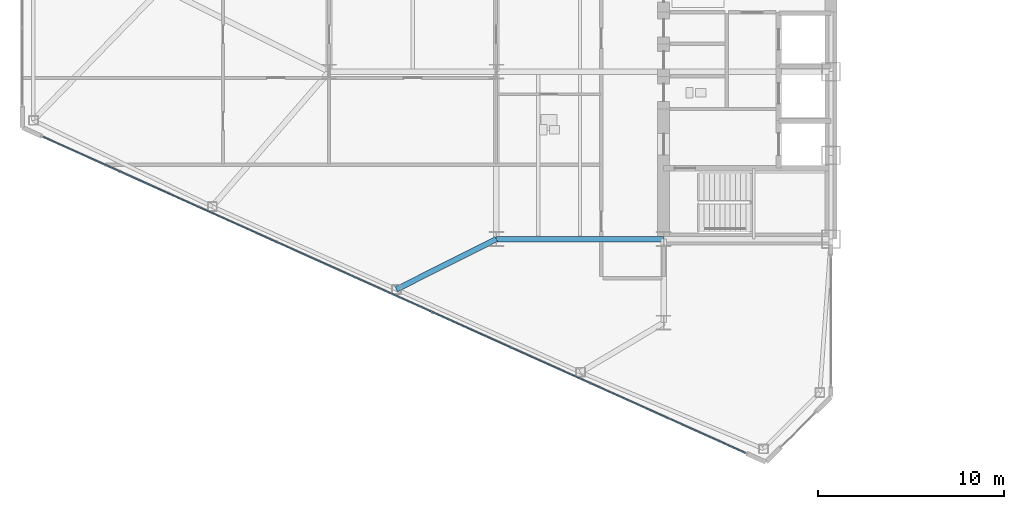
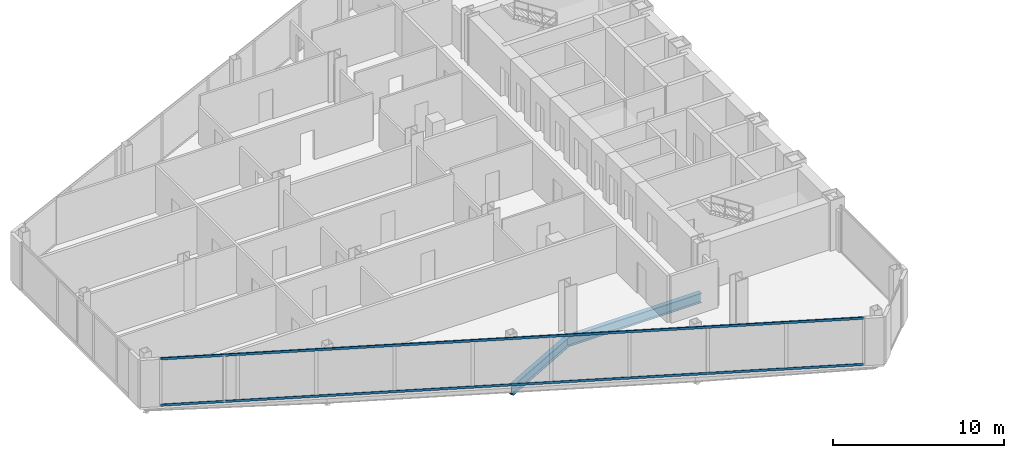
# One storey, part 4 of 27: 2 beams, 2 members, 1 element without a shape of its own.
"""IFC4 building model written with IfcOpenShell, lengths in metres."""

from ifc_helpers import new_model, si_unit, direction, frame, origin, origin_2d, place, context, subcontext, project, spatial, rectangle, i_section, extrude, source, transform, mapped, material, layer, layer_set, material_profile, profile_set, type_object, type_shapes, element, aggregate, save


model = new_model("IFC4")

# Units and contexts
model_context = context("Model", 3, precision=1e-05, world=origin(), true_north=direction((0.0, 1.0)))
body_context = subcontext(model_context, "Body", "Model", "MODEL_VIEW")
ifc_project = project(units=[si_unit("LENGTHUNIT", "METRE"), si_unit("AREAUNIT", "SQUARE_METRE"), si_unit("VOLUMEUNIT", "CUBIC_METRE"), si_unit("PLANEANGLEUNIT", "RADIAN"), si_unit("MASSUNIT", "GRAM", prefix="KILO")], contexts=[model_context])

# Site, building, storey
site_placement = place(None, origin())
site = spatial("IfcSite", under=ifc_project, at=site_placement, CompositionType="ELEMENT")
building_placement = place(site_placement, origin())
building = spatial("IfcBuilding", under=site, at=building_placement, Name="Seokmaru Belvedere", CompositionType="ELEMENT")
storey_placement = place(building_placement, frame((0.0, 0.0, 80.10009765625)))
storey = spatial("IfcBuildingStorey", under=building, at=storey_placement, Name="L21", CompositionType="ELEMENT", Elevation=80.10009765625)

# Beams
ifc_material_1 = material(Name="Steel SM355 (355 MPa)", Category="steel")
ifc_material_profile_1 = material_profile(ifc_material_1, i_section(OverallWidth=0.300048828125, OverallDepth=0.699951171875, WebThickness=0.012939453125, FlangeThickness=0.02392578125, at=origin_2d()), Name="H-700x300x13x24")
ifc_profile_set_1 = profile_set([ifc_material_profile_1], Name="Steel SM355 (355 MPa)")
beam_type = type_object("IfcBeamType", Name="Primary Floor Girder H-700", PredefinedType="BEAM", material=ifc_profile_set_1)
shared_shape_1 = source(origin(), body_context, "Body", "SweptSolid", [
    extrude(i_section(OverallWidth=0.300048828125, OverallDepth=0.699951171875, WebThickness=0.012939453125, FlangeThickness=0.02392578125, at=origin_2d()), origin(), (0.0, 0.0, 1.0), 9.0),
])
beam_1_placement = place(storey_placement, frame((-45.5, -13.5, -0.570068359375), z_axis=(1.0, 0.0, 0.0), x_axis=(0.0, 1.0, 0.0)))
element("IfcBeam", 1, at=beam_1_placement, inside=storey, type_object=beam_type, Name="L21 W Wing Primary Girder 1", PredefinedType="BEAM", context=body_context, shape_type="MappedRepresentation", body=[
    mapped(shared_shape_1, transform((0.0, 0.0, 0.0), scale=1.0)),
])
shared_shape_2 = source(origin(), body_context, "Body", "SweptSolid", [
    extrude(i_section(OverallWidth=0.300048828125, OverallDepth=0.699951171875, WebThickness=0.012939453125, FlangeThickness=0.02392578125, at=origin_2d()), origin(), (0.0, 0.0, 1.0), 6.017333984375),
])
type_shapes(beam_type, [shared_shape_1, shared_shape_2])
beam_2_placement = place(storey_placement, frame((-50.875, -16.205322265625, -0.570068359375), z_axis=(0.893239341975, 0.449581447512, 0.0), x_axis=(-0.449581447512, 0.893239341975, 0.0)))
element("IfcBeam", 2, at=beam_2_placement, inside=storey, type_object=beam_type, Name="L21 W Flank Radial Floor Girder S-2", PredefinedType="BEAM", context=body_context, shape_type="MappedRepresentation", body=[
    mapped(shared_shape_2, transform((0.0, 0.0, 0.0), scale=1.0)),
])

# Curtain wall, members
ifc_material_2 = material(Name="Bronze Triple Insulating Glass", Category="glass")
ifc_layer = layer(ifc_material_2, 0.195068359375)
ifc_layer_set = layer_set([ifc_layer], Name="Bronze Triple Insulating Glass")
curtain_wall_type = type_object("IfcCurtainWallType", Name="Lower-Mid Tapered Curtain Wall System CW-3", PredefinedType="NOTDEFINED", material=ifc_layer_set)
curtain_wall_placement = place(storey_placement, origin())
curtain_wall = element("IfcCurtainWall", 3, at=curtain_wall_placement, inside=storey, type_object=curtain_wall_type, Name="L21 Curtain Wall WF5", PredefinedType="NOTDEFINED")
ifc_material_3 = material(Name="Anodised Bronze Aluminium", Category="aluminium")
ifc_material_profile_2 = material_profile(ifc_material_3, rectangle(XDim=0.070068359375, YDim=0.1650390625, at=origin_2d()), Name="CW-T-70x165")
ifc_profile_set_2 = profile_set([ifc_material_profile_2], Name="Anodised Bronze Aluminium")
member_type = type_object("IfcMemberType", Name="Bronze Unitised Transom 70x165", PredefinedType="USERDEFINED", material=ifc_profile_set_2)
shared_shape_3 = source(origin(), body_context, "Body", "SweptSolid", [
    extrude(rectangle(XDim=0.070068359375, YDim=0.1650390625, at=origin_2d()), origin(), (0.0, 0.0, 1.0), 41.423583984375),
])
type_shapes(member_type, [shared_shape_3])
member_1_placement = place(storey_placement, frame((-69.887451171875, -8.00048828125, 0.034912109375), z_axis=(0.911918637916, -0.410371048956, 0.0), x_axis=(0.410371048956, 0.911918637916, 0.0)))
member_1 = element("IfcMember", 4, at=member_1_placement, type_object=member_type, Name="CW:L21:WF5 Continuous Transom 1", ObjectType="TRANSOM", PredefinedType="USERDEFINED", context=body_context, shape_type="MappedRepresentation", body=[
    mapped(shared_shape_3, transform((0.0, 0.0, 0.0), scale=1.0)),
])
member_2_placement = place(storey_placement, frame((-69.887451171875, -8.00048828125, 3.344970703125), z_axis=(0.911918637916, -0.410371048956, 0.0), x_axis=(0.410371048956, 0.911918637916, 0.0)))
member_2 = element("IfcMember", 5, at=member_2_placement, type_object=member_type, Name="CW:L21:WF5 Continuous Transom 2", ObjectType="TRANSOM", PredefinedType="USERDEFINED", context=body_context, shape_type="MappedRepresentation", body=[
    mapped(shared_shape_3, transform((0.0, 0.0, 0.0), scale=1.0)),
])
aggregate(curtain_wall, [member_1, member_2])

save(model, "model.ifc")
